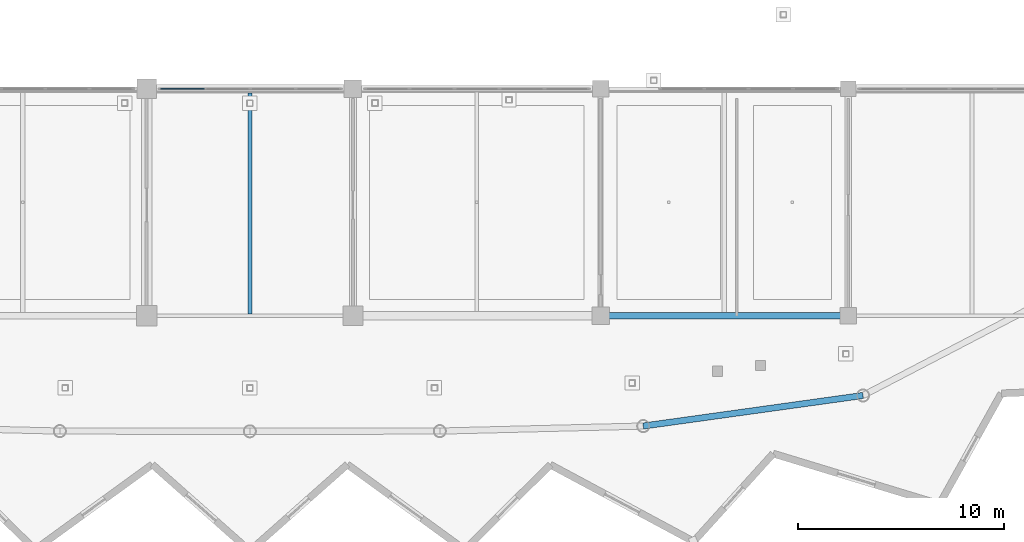
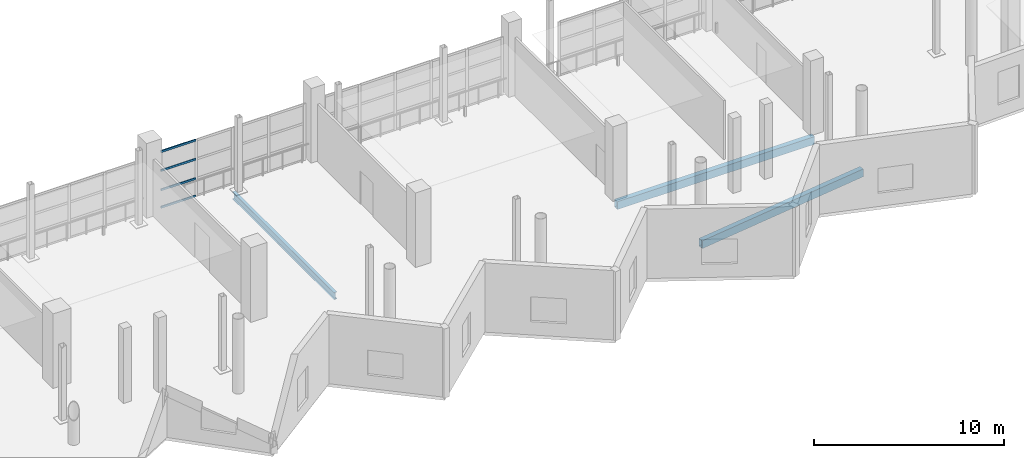
# One storey, part 35 of 143: 4 members, 3 beams, 1 element without a shape of its own.
"""IFC4 building model written with IfcOpenShell, lengths in metres."""

from ifc_helpers import new_model, si_unit, direction, frame, origin, origin_2d, place, context, subcontext, project, spatial, rectangle, hollow_rectangle, i_section, extrude, material, material_profile, profile_set, type_object, element, aggregate, save


model = new_model("IFC4")

# Units and contexts
model_context = context("Model", 3, precision=1e-05, world=origin(), true_north=direction((0.0, 1.0)))
body_context = subcontext(model_context, "Body", "Model", "MODEL_VIEW")
ifc_project = project(units=[si_unit("LENGTHUNIT", "METRE"), si_unit("AREAUNIT", "SQUARE_METRE"), si_unit("VOLUMEUNIT", "CUBIC_METRE"), si_unit("PLANEANGLEUNIT", "RADIAN"), si_unit("MASSUNIT", "GRAM", prefix="KILO")], contexts=[model_context])

# Site, building, storey
site_placement = place(None, origin())
site = spatial("IfcSite", under=ifc_project, at=site_placement, CompositionType="ELEMENT")
building_placement = place(site_placement, origin())
building = spatial("IfcBuilding", under=site, at=building_placement, Name="Luwafu Chhajja Arena", CompositionType="ELEMENT")
storey_placement = place(building_placement, frame((0.0, 0.0, 5.39990234375)))
storey = spatial("IfcBuildingStorey", under=building, at=storey_placement, Name="L01", CompositionType="ELEMENT", Elevation=5.39990234375)

# Curtain wall, members
ifc_material_1 = material(Name="Anodised bronze aluminium", Category="aluminium")
curtain_wall_type = type_object("IfcCurtainWallType", Name="Bowl Concourse Chord Curtain Wall", PredefinedType="USERDEFINED", material=ifc_material_1)
curtain_wall_placement = place(storey_placement, origin())
curtain_wall = element("IfcCurtainWall", 1, at=curtain_wall_placement, inside=storey, type_object=curtain_wall_type, Name="L01 Bowl Viewing Curtain Wall CWR-L01-04", ObjectType="CURTAIN WALL", PredefinedType="USERDEFINED")
ifc_material_profile_1 = material_profile(ifc_material_1, rectangle(XDim=0.06005859375, YDim=0.1298828125, at=origin_2d()), Name="CWT 60x130")
ifc_profile_set_1 = profile_set([ifc_material_profile_1], Name="Anodised bronze aluminium")
member_type = type_object("IfcMemberType", Name="Bronze Curtain Wall Transom 60x130", PredefinedType="USERDEFINED", material=ifc_profile_set_1)
member_1_placement = place(storey_placement, frame((94.675048828125, 22.0, 0.030029296875), z_axis=(1.0, 0.0, 0.0), x_axis=(0.0, 1.0, 0.0)))
member_1 = element("IfcMember", 2, at=member_1_placement, type_object=member_type, Name="CW-01 transom 1.1", ObjectType="TRANSOM", PredefinedType="USERDEFINED", context=body_context, shape_type="SweptSolid", body=[
    extrude(rectangle(XDim=0.06005859375, YDim=0.1298828125, at=origin_2d()), origin(), (0.0, 0.0, 1.0), 2.114990234375),
])
member_2_placement = place(storey_placement, frame((94.675048828125, 22.0, 1.150146484375), z_axis=(1.0, 0.0, 0.0), x_axis=(0.0, 1.0, 0.0)))
member_2 = element("IfcMember", 3, at=member_2_placement, type_object=member_type, Name="CW-01 transom 1.2", ObjectType="TRANSOM", PredefinedType="USERDEFINED", context=body_context, shape_type="SweptSolid", body=[
    extrude(rectangle(XDim=0.06005859375, YDim=0.1298828125, at=origin_2d()), origin(), (0.0, 0.0, 1.0), 2.114990234375),
])
member_3_placement = place(storey_placement, frame((94.675048828125, 22.0, 2.39501953125), z_axis=(1.0, 0.0, 0.0), x_axis=(0.0, 1.0, 0.0)))
member_3 = element("IfcMember", 4, at=member_3_placement, type_object=member_type, Name="CW-01 transom 1.3", ObjectType="TRANSOM", PredefinedType="USERDEFINED", context=body_context, shape_type="SweptSolid", body=[
    extrude(rectangle(XDim=0.06005859375, YDim=0.1298828125, at=origin_2d()), origin(), (0.0, 0.0, 1.0), 2.114990234375),
])
member_4_placement = place(storey_placement, frame((94.675048828125, 22.0, 3.610107421875), z_axis=(1.0, 0.0, 0.0), x_axis=(0.0, 1.0, 0.0)))
member_4 = element("IfcMember", 5, at=member_4_placement, type_object=member_type, Name="CW-01 transom 1.4", ObjectType="TRANSOM", PredefinedType="USERDEFINED", context=body_context, shape_type="SweptSolid", body=[
    extrude(rectangle(XDim=0.06005859375, YDim=0.1298828125, at=origin_2d()), origin(), (0.0, 0.0, 1.0), 2.114990234375),
])
aggregate(curtain_wall, [member_1, member_2, member_3, member_4])

# Beams
ifc_material_2 = material(Name="Steel S355", Category="steel")
ifc_material_profile_2 = material_profile(ifc_material_2, i_section(OverallWidth=0.19140625, OverallDepth=0.4599609375, WebThickness=0.010009765625, FlangeThickness=0.01611328125, at=origin_2d()), Name="UB 457x191x82")
ifc_profile_set_2 = profile_set([ifc_material_profile_2], Name="Steel S355")
beam_type_1 = type_object("IfcBeamType", Name="Floor Joist UB 457x191x82", PredefinedType="JOIST", material=ifc_profile_set_2)
beam_1_placement = place(storey_placement, frame((99.0, 11.0830078125, -0.559814453125), z_axis=(0.0, 1.0, 0.0), x_axis=(-1.0, 0.0, 0.0)))
element("IfcBeam", 6, at=beam_1_placement, inside=storey, type_object=beam_type_1, Name="L01 Secondary Joist 9-10/B", PredefinedType="JOIST", context=body_context, shape_type="SweptSolid", body=[
    extrude(i_section(OverallWidth=0.19140625, OverallDepth=0.4599609375, WebThickness=0.010009765625, FlangeThickness=0.01611328125, at=origin_2d()), origin(), (0.0, 0.0, 1.0), 10.717041015625),
])
ifc_material_profile_3 = material_profile(ifc_material_2, hollow_rectangle(XDim=0.300048828125, YDim=0.5, WallThickness=0.02001953125, at=origin_2d()), Name="RHS 500x300x20")
ifc_profile_set_3 = profile_set([ifc_material_profile_3], Name="Steel S355")
beam_type_2 = type_object("IfcBeamType", Name="Pleated Drum Spandrel Beam RHS 500x300", PredefinedType="SPANDREL", material=ifc_profile_set_3)
beam_2_placement = place(storey_placement, frame((116.0, 11.0, -0.579833984375), z_axis=(1.0, 0.0, 0.0), x_axis=(0.0, 1.0, 0.0)))
element("IfcBeam", 7, at=beam_2_placement, inside=storey, type_object=beam_type_2, Name="L01 Grid Beam 11-12/B", PredefinedType="SPANDREL", context=body_context, shape_type="SweptSolid", body=[
    extrude(hollow_rectangle(XDim=0.300048828125, YDim=0.5, WallThickness=0.02001953125, at=origin_2d()), origin(), (0.0, 0.0, 1.0), 12.0),
])
beam_3_placement = place(storey_placement, frame((118.067138671875, 5.6552734375, -0.579833984375), z_axis=(0.990458730054, 0.137809666058, 0.0), x_axis=(-0.137809666058, 0.990458730054, 0.0)))
element("IfcBeam", 8, at=beam_3_placement, inside=storey, type_object=beam_type_2, Name="L01 Drum Ring Spandrel D27-D28", PredefinedType="SPANDREL", context=body_context, shape_type="SweptSolid", body=[
    extrude(hollow_rectangle(XDim=0.300048828125, YDim=0.5, WallThickness=0.02001953125, at=origin_2d()), origin(), (0.0, 0.0, 1.0), 10.75341796875),
])

save(model, "model.ifc")
